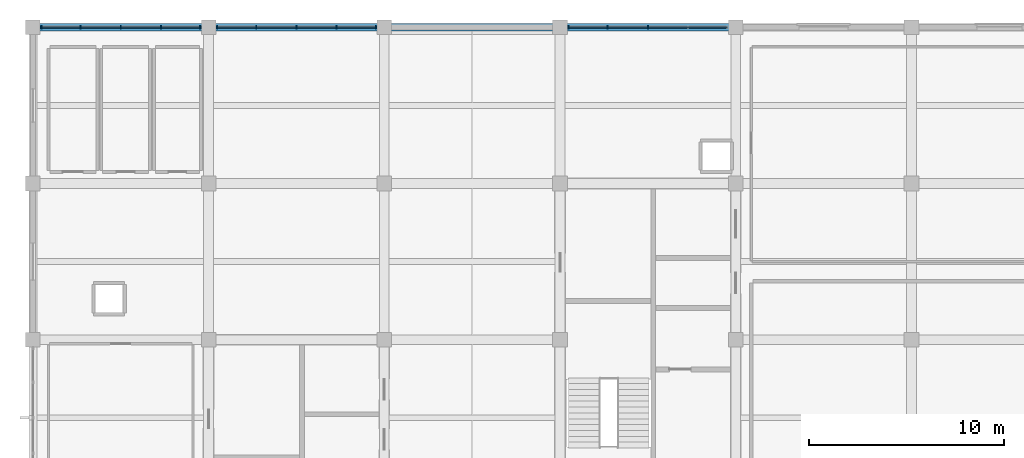
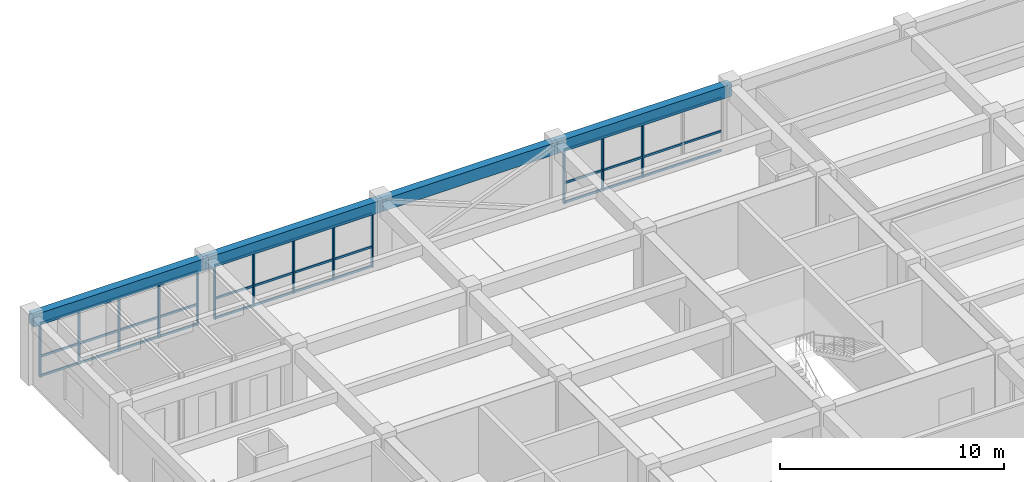
# One storey, part 8 of 15: 22 members, 4 beams, 3 elements without a shape of their own.
"""IFC4 building model written with IfcOpenShell, lengths in metres."""

from ifc_helpers import new_model, si_unit, direction, frame, origin, origin_2d, place, context, subcontext, project, spatial, rectangle, extrude, material, material_profile, profile_set, type_object, element, aggregate, save


model = new_model("IFC4")

# Units and contexts
model_context = context("Model", 3, precision=1e-05, world=origin(), true_north=direction((0.0, 1.0)))
body_context = subcontext(model_context, "Body", "Model", "MODEL_VIEW")
ifc_project = project(units=[si_unit("LENGTHUNIT", "METRE"), si_unit("AREAUNIT", "SQUARE_METRE"), si_unit("VOLUMEUNIT", "CUBIC_METRE"), si_unit("PLANEANGLEUNIT", "RADIAN"), si_unit("MASSUNIT", "GRAM", prefix="KILO")], contexts=[model_context])

# Site, building, storey
site_placement = place(None, origin())
site = spatial("IfcSite", under=ifc_project, at=site_placement, CompositionType="ELEMENT")
building_placement = place(site_placement, origin())
building = spatial("IfcBuilding", under=site, at=building_placement, Name="Zaverband Oceanarium and Marine Research Institute", CompositionType="ELEMENT")
storey_placement = place(building_placement, frame((0.0, 0.0, 45.300048828125)))
storey = spatial("IfcBuildingStorey", under=building, at=storey_placement, Name="L11", CompositionType="ELEMENT", Elevation=45.300048828125)

# Curtain wall, members
ifc_material_1 = material(Name="Thermally broken anodized aluminium and solar-control glass", Category="aluminium")
curtain_wall_type = type_object("IfcCurtainWallType", Name="CW-UNIT-1800", PredefinedType="NOTDEFINED", material=ifc_material_1)
curtain_wall_1_placement = place(storey_placement, origin())
curtain_wall_1 = element("IfcCurtainWall", 1, at=curtain_wall_1_placement, inside=storey, type_object=curtain_wall_type, Name="Unitised glazed curtain wall CW-124", PredefinedType="NOTDEFINED")
ifc_material_2 = material(Name="Thermally broken anodized aluminium", Category="aluminium")
ifc_material_profile_1 = material_profile(ifc_material_2, rectangle(XDim=0.070068359375, YDim=0.14990234375, at=origin_2d()), Name="AL-MUL-70x150")
ifc_profile_set_1 = profile_set([ifc_material_profile_1], Name="Thermally broken anodized aluminium")
member_type_1 = type_object("IfcMemberType", Name="MUL-70x150", PredefinedType="MULLION", material=ifc_profile_set_1)
member_1_placement = place(storey_placement, frame((9.43994140625, 112.0, 0.0), z_axis=(0.0, 0.0, 1.0), x_axis=(1.0, 0.0, 0.0)))
member_1 = element("IfcMember", 2, at=member_1_placement, type_object=member_type_1, Name="Curtain wall vertical mullion MUL-70x150", PredefinedType="MULLION", context=body_context, shape_type="SweptSolid", body=[
    extrude(rectangle(XDim=0.070068359375, YDim=0.14990234375, at=origin_2d()), origin(), (0.0, 0.0, 1.0), 2.949951171875),
])
member_2_placement = place(storey_placement, frame((11.43994140625, 112.0, 0.0), z_axis=(0.0, 0.0, 1.0), x_axis=(1.0, 0.0, 0.0)))
member_2 = element("IfcMember", 3, at=member_2_placement, type_object=member_type_1, Name="Curtain wall vertical mullion MUL-70x150", PredefinedType="MULLION", context=body_context, shape_type="SweptSolid", body=[
    extrude(rectangle(XDim=0.070068359375, YDim=0.14990234375, at=origin_2d()), origin(), (0.0, 0.0, 1.0), 2.949951171875),
])
member_3_placement = place(storey_placement, frame((13.5, 112.0, 0.0), z_axis=(0.0, 0.0, 1.0), x_axis=(1.0, 0.0, 0.0)))
member_3 = element("IfcMember", 4, at=member_3_placement, type_object=member_type_1, Name="Curtain wall vertical mullion MUL-70x150", PredefinedType="MULLION", context=body_context, shape_type="SweptSolid", body=[
    extrude(rectangle(XDim=0.070068359375, YDim=0.14990234375, at=origin_2d()), origin(), (0.0, 0.0, 1.0), 2.949951171875),
])
member_4_placement = place(storey_placement, frame((15.56005859375, 112.0, 0.0), z_axis=(0.0, 0.0, 1.0), x_axis=(1.0, 0.0, 0.0)))
member_4 = element("IfcMember", 5, at=member_4_placement, type_object=member_type_1, Name="Curtain wall vertical mullion MUL-70x150", PredefinedType="MULLION", context=body_context, shape_type="SweptSolid", body=[
    extrude(rectangle(XDim=0.070068359375, YDim=0.14990234375, at=origin_2d()), origin(), (0.0, 0.0, 1.0), 2.949951171875),
])
member_5_placement = place(storey_placement, frame((17.56005859375, 112.0, 0.0), z_axis=(0.0, 0.0, 1.0), x_axis=(1.0, 0.0, 0.0)))
member_5 = element("IfcMember", 6, at=member_5_placement, type_object=member_type_1, Name="Curtain wall vertical mullion MUL-70x150", PredefinedType="MULLION", context=body_context, shape_type="SweptSolid", body=[
    extrude(rectangle(XDim=0.070068359375, YDim=0.14990234375, at=origin_2d()), origin(), (0.0, 0.0, 1.0), 2.949951171875),
])

curtain_wall_2_placement = place(storey_placement, origin())
curtain_wall_2 = element("IfcCurtainWall", 7, at=curtain_wall_2_placement, inside=storey, type_object=curtain_wall_type, Name="Unitised glazed curtain wall CW-125", PredefinedType="NOTDEFINED")
member_6_placement = place(storey_placement, frame((18.43994140625, 112.0, 0.0), z_axis=(0.0, 0.0, 1.0), x_axis=(1.0, 0.0, 0.0)))
member_6 = element("IfcMember", 8, at=member_6_placement, type_object=member_type_1, Name="Curtain wall vertical mullion MUL-70x150", PredefinedType="MULLION", context=body_context, shape_type="SweptSolid", body=[
    extrude(rectangle(XDim=0.070068359375, YDim=0.14990234375, at=origin_2d()), origin(), (0.0, 0.0, 1.0), 2.949951171875),
])
member_7_placement = place(storey_placement, frame((20.43994140625, 112.0, 0.0), z_axis=(0.0, 0.0, 1.0), x_axis=(1.0, 0.0, 0.0)))
member_7 = element("IfcMember", 9, at=member_7_placement, type_object=member_type_1, Name="Curtain wall vertical mullion MUL-70x150", PredefinedType="MULLION", context=body_context, shape_type="SweptSolid", body=[
    extrude(rectangle(XDim=0.070068359375, YDim=0.14990234375, at=origin_2d()), origin(), (0.0, 0.0, 1.0), 2.949951171875),
])
member_8_placement = place(storey_placement, frame((22.5, 112.0, 0.0), z_axis=(0.0, 0.0, 1.0), x_axis=(1.0, 0.0, 0.0)))
member_8 = element("IfcMember", 10, at=member_8_placement, type_object=member_type_1, Name="Curtain wall vertical mullion MUL-70x150", PredefinedType="MULLION", context=body_context, shape_type="SweptSolid", body=[
    extrude(rectangle(XDim=0.070068359375, YDim=0.14990234375, at=origin_2d()), origin(), (0.0, 0.0, 1.0), 2.949951171875),
])
member_9_placement = place(storey_placement, frame((24.56005859375, 112.0, 0.0), z_axis=(0.0, 0.0, 1.0), x_axis=(1.0, 0.0, 0.0)))
member_9 = element("IfcMember", 11, at=member_9_placement, type_object=member_type_1, Name="Curtain wall vertical mullion MUL-70x150", PredefinedType="MULLION", context=body_context, shape_type="SweptSolid", body=[
    extrude(rectangle(XDim=0.070068359375, YDim=0.14990234375, at=origin_2d()), origin(), (0.0, 0.0, 1.0), 2.949951171875),
])
member_10_placement = place(storey_placement, frame((26.56005859375, 112.0, 0.0), z_axis=(0.0, 0.0, 1.0), x_axis=(1.0, 0.0, 0.0)))
member_10 = element("IfcMember", 12, at=member_10_placement, type_object=member_type_1, Name="Curtain wall vertical mullion MUL-70x150", PredefinedType="MULLION", context=body_context, shape_type="SweptSolid", body=[
    extrude(rectangle(XDim=0.070068359375, YDim=0.14990234375, at=origin_2d()), origin(), (0.0, 0.0, 1.0), 2.949951171875),
])

curtain_wall_3_placement = place(storey_placement, origin())
curtain_wall_3 = element("IfcCurtainWall", 13, at=curtain_wall_3_placement, inside=storey, type_object=curtain_wall_type, Name="Unitised glazed curtain wall CW-126", PredefinedType="NOTDEFINED")
member_11_placement = place(storey_placement, frame((36.43994140625, 112.0, 0.0), z_axis=(0.0, 0.0, 1.0), x_axis=(1.0, 0.0, 0.0)))
member_11 = element("IfcMember", 14, at=member_11_placement, type_object=member_type_1, Name="Curtain wall vertical mullion MUL-70x150", PredefinedType="MULLION", context=body_context, shape_type="SweptSolid", body=[
    extrude(rectangle(XDim=0.070068359375, YDim=0.14990234375, at=origin_2d()), origin(), (0.0, 0.0, 1.0), 2.949951171875),
])
member_12_placement = place(storey_placement, frame((38.43994140625, 112.0, 0.0), z_axis=(0.0, 0.0, 1.0), x_axis=(1.0, 0.0, 0.0)))
member_12 = element("IfcMember", 15, at=member_12_placement, type_object=member_type_1, Name="Curtain wall vertical mullion MUL-70x150", PredefinedType="MULLION", context=body_context, shape_type="SweptSolid", body=[
    extrude(rectangle(XDim=0.070068359375, YDim=0.14990234375, at=origin_2d()), origin(), (0.0, 0.0, 1.0), 2.949951171875),
])
member_13_placement = place(storey_placement, frame((40.5, 112.0, 0.0), z_axis=(0.0, 0.0, 1.0), x_axis=(1.0, 0.0, 0.0)))
member_13 = element("IfcMember", 16, at=member_13_placement, type_object=member_type_1, Name="Curtain wall vertical mullion MUL-70x150", PredefinedType="MULLION", context=body_context, shape_type="SweptSolid", body=[
    extrude(rectangle(XDim=0.070068359375, YDim=0.14990234375, at=origin_2d()), origin(), (0.0, 0.0, 1.0), 2.949951171875),
])

# Beams
ifc_material_3 = material(Name="Concrete C40/50", Category="concrete")
ifc_material_profile_2 = material_profile(ifc_material_3, rectangle(XDim=0.39990234375, YDim=0.64990234375, at=origin_2d()), Name="RC400x650")
ifc_profile_set_2 = profile_set([ifc_material_profile_2], Name="Concrete C40/50")
beam_type = type_object("IfcBeamType", Name="SPN-400x650", PredefinedType="SPANDREL", material=ifc_profile_set_2)
for number, where, z_axis, x_axis, name in (
    (17, (9.0, 112.0, 3.294921875), (1.0, 0.0, 0.0), (0.0, 1.0, 0.0), "Perimeter spandrel beam SPN-400x650"),
    (18, (18.0, 112.0, 3.294921875), (1.0, 0.0, 0.0), (0.0, 1.0, 0.0), "Perimeter spandrel beam SPN-400x650"),
    (19, (27.0, 112.0, 3.294921875), (1.0, 0.0, 0.0), (0.0, 1.0, 0.0), "Perimeter spandrel beam SPN-400x650"),
    (20, (36.0, 112.0, 3.294921875), (1.0, 0.0, 0.0), (0.0, 1.0, 0.0), "Perimeter spandrel beam SPN-400x650"),
):
    element("IfcBeam", number, at=place(storey_placement, frame(where, z_axis=z_axis, x_axis=x_axis)), inside=storey, type_object=beam_type, Name=name, PredefinedType="SPANDREL", context=body_context, shape_type="SweptSolid", body=[
        extrude(rectangle(XDim=0.39990234375, YDim=0.64990234375, at=origin_2d()), origin(), (0.0, 0.0, 1.0), 9.0),
    ])

# Member
ifc_material_profile_3 = material_profile(ifc_material_2, rectangle(XDim=0.070068359375, YDim=0.114990234375, at=origin_2d()), Name="AL-TRN-70x115")
ifc_profile_set_3 = profile_set([ifc_material_profile_3], Name="Thermally broken anodized aluminium")
member_type_2 = type_object("IfcMemberType", Name="TRN-70x115", PredefinedType="USERDEFINED", material=ifc_profile_set_3)
member_14_placement = place(storey_placement, frame((9.43994140625, 112.0, 0.050048828125), z_axis=(1.0, 0.0, 0.0), x_axis=(0.0, 1.0, 0.0)))
member_14 = element("IfcMember", 21, at=member_14_placement, type_object=member_type_2, Name="Curtain wall horizontal transom TRN-70x115", ObjectType="TRANSOM", PredefinedType="USERDEFINED", context=body_context, shape_type="SweptSolid", body=[
    extrude(rectangle(XDim=0.070068359375, YDim=0.114990234375, at=origin_2d()), origin(), (0.0, 0.0, 1.0), 8.1201171875),
])

member_15_placement = place(storey_placement, frame((9.43994140625, 112.0, 1.112060546875), z_axis=(1.0, 0.0, 0.0), x_axis=(0.0, 1.0, 0.0)))
member_15 = element("IfcMember", 22, at=member_15_placement, type_object=member_type_2, Name="Curtain wall horizontal transom TRN-70x115", ObjectType="TRANSOM", PredefinedType="USERDEFINED", context=body_context, shape_type="SweptSolid", body=[
    extrude(rectangle(XDim=0.070068359375, YDim=0.114990234375, at=origin_2d()), origin(), (0.0, 0.0, 1.0), 8.1201171875),
])

member_16_placement = place(storey_placement, frame((9.43994140625, 112.0, 2.89990234375), z_axis=(1.0, 0.0, 0.0), x_axis=(0.0, 1.0, 0.0)))
member_16 = element("IfcMember", 23, at=member_16_placement, type_object=member_type_2, Name="Curtain wall horizontal transom TRN-70x115", ObjectType="TRANSOM", PredefinedType="USERDEFINED", context=body_context, shape_type="SweptSolid", body=[
    extrude(rectangle(XDim=0.070068359375, YDim=0.114990234375, at=origin_2d()), origin(), (0.0, 0.0, 1.0), 8.1201171875),
])

aggregate(curtain_wall_1, [member_1, member_2, member_3, member_4, member_5, member_14, member_15, member_16])

member_17_placement = place(storey_placement, frame((18.43994140625, 112.0, 0.050048828125), z_axis=(1.0, 0.0, 0.0), x_axis=(0.0, 1.0, 0.0)))
member_17 = element("IfcMember", 24, at=member_17_placement, type_object=member_type_2, Name="Curtain wall horizontal transom TRN-70x115", ObjectType="TRANSOM", PredefinedType="USERDEFINED", context=body_context, shape_type="SweptSolid", body=[
    extrude(rectangle(XDim=0.070068359375, YDim=0.114990234375, at=origin_2d()), origin(), (0.0, 0.0, 1.0), 8.1201171875),
])

member_18_placement = place(storey_placement, frame((18.43994140625, 112.0, 1.112060546875), z_axis=(1.0, 0.0, 0.0), x_axis=(0.0, 1.0, 0.0)))
member_18 = element("IfcMember", 25, at=member_18_placement, type_object=member_type_2, Name="Curtain wall horizontal transom TRN-70x115", ObjectType="TRANSOM", PredefinedType="USERDEFINED", context=body_context, shape_type="SweptSolid", body=[
    extrude(rectangle(XDim=0.070068359375, YDim=0.114990234375, at=origin_2d()), origin(), (0.0, 0.0, 1.0), 8.1201171875),
])

member_19_placement = place(storey_placement, frame((18.43994140625, 112.0, 2.89990234375), z_axis=(1.0, 0.0, 0.0), x_axis=(0.0, 1.0, 0.0)))
member_19 = element("IfcMember", 26, at=member_19_placement, type_object=member_type_2, Name="Curtain wall horizontal transom TRN-70x115", ObjectType="TRANSOM", PredefinedType="USERDEFINED", context=body_context, shape_type="SweptSolid", body=[
    extrude(rectangle(XDim=0.070068359375, YDim=0.114990234375, at=origin_2d()), origin(), (0.0, 0.0, 1.0), 8.1201171875),
])

aggregate(curtain_wall_2, [member_6, member_7, member_8, member_9, member_10, member_17, member_18, member_19])

member_20_placement = place(storey_placement, frame((36.43994140625, 112.0, 0.050048828125), z_axis=(1.0, 0.0, 0.0), x_axis=(0.0, 1.0, 0.0)))
member_20 = element("IfcMember", 27, at=member_20_placement, type_object=member_type_2, Name="Curtain wall horizontal transom TRN-70x115", ObjectType="TRANSOM", PredefinedType="USERDEFINED", context=body_context, shape_type="SweptSolid", body=[
    extrude(rectangle(XDim=0.070068359375, YDim=0.114990234375, at=origin_2d()), origin(), (0.0, 0.0, 1.0), 8.1201171875),
])

member_21_placement = place(storey_placement, frame((36.43994140625, 112.0, 1.112060546875), z_axis=(1.0, 0.0, 0.0), x_axis=(0.0, 1.0, 0.0)))
member_21 = element("IfcMember", 28, at=member_21_placement, type_object=member_type_2, Name="Curtain wall horizontal transom TRN-70x115", ObjectType="TRANSOM", PredefinedType="USERDEFINED", context=body_context, shape_type="SweptSolid", body=[
    extrude(rectangle(XDim=0.070068359375, YDim=0.114990234375, at=origin_2d()), origin(), (0.0, 0.0, 1.0), 8.1201171875),
])

member_22_placement = place(storey_placement, frame((36.43994140625, 112.0, 2.89990234375), z_axis=(1.0, 0.0, 0.0), x_axis=(0.0, 1.0, 0.0)))
member_22 = element("IfcMember", 29, at=member_22_placement, type_object=member_type_2, Name="Curtain wall horizontal transom TRN-70x115", ObjectType="TRANSOM", PredefinedType="USERDEFINED", context=body_context, shape_type="SweptSolid", body=[
    extrude(rectangle(XDim=0.070068359375, YDim=0.114990234375, at=origin_2d()), origin(), (0.0, 0.0, 1.0), 8.1201171875),
])

aggregate(curtain_wall_3, [member_11, member_12, member_13, member_20, member_21, member_22])

save(model, "model.ifc")
